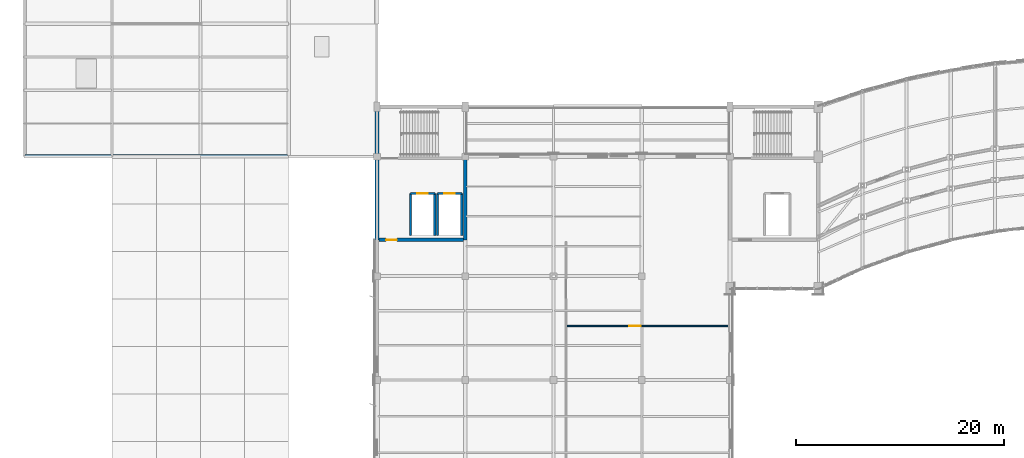
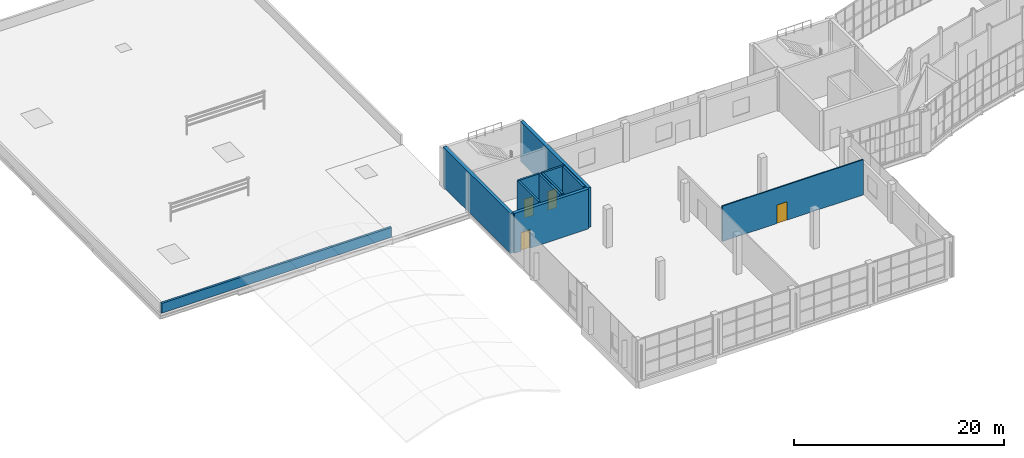
# One storey, part 52 of 66: 11 walls, 4 doors, 4 openings.
"""IFC4 building model written with IfcOpenShell, lengths in metres."""

from ifc_helpers import new_model, si_unit, direction, frame, frame_2d, origin, place, context, subcontext, project, spatial, rectangle, extrude, material, layer, layer_set, type_object, element, fill, save


model = new_model("IFC4")

# Units and contexts
model_context = context("Model", 3, precision=1e-05, world=origin(), true_north=direction((0.0, 1.0)))
body_context = subcontext(model_context, "Body", "Model", "MODEL_VIEW")
ifc_project = project(units=[si_unit("LENGTHUNIT", "METRE"), si_unit("AREAUNIT", "SQUARE_METRE"), si_unit("VOLUMEUNIT", "CUBIC_METRE"), si_unit("PLANEANGLEUNIT", "RADIAN"), si_unit("MASSUNIT", "GRAM", prefix="KILO")], contexts=[model_context])

# Site, building, storey
site_placement = place(None, origin())
site = spatial("IfcSite", under=ifc_project, at=site_placement, CompositionType="ELEMENT")
building_placement = place(site_placement, origin())
building = spatial("IfcBuilding", under=site, at=building_placement, Name="Solvikara Media Centre", CompositionType="ELEMENT")
storey_placement = place(building_placement, frame((0.0, 0.0, 19.800048828125)))
storey = spatial("IfcBuildingStorey", under=building, at=storey_placement, Name="L04", CompositionType="ELEMENT", Elevation=19.800048828125)

# Walls
ifc_material_1 = material(Name="Concrete fc' 45 MPa (C45/55)", Category="concrete")
ifc_layer_1 = layer(ifc_material_1, 0.35009765625)
ifc_layer_set_1 = layer_set([ifc_layer_1], Name="Concrete fc' 45 MPa (C45/55)")
wall_type_1 = type_object("IfcWallType", Name="WT-03", PredefinedType="SHEAR", material=ifc_layer_set_1)
for number, where, z_axis, x_axis, name in (
    (1, (34.0, 24.0, 0.0), (0.0, 0.0, 1.0), (0.0, 1.0, 0.0), "CW-C2-L04-W"),
    (2, (42.5, 24.0, 0.0), (0.0, 0.0, 1.0), (0.0, 1.0, 0.0), "CW-C2-L04-E"),
):
    element("IfcWall", number, at=place(storey_placement, frame(where, z_axis=z_axis, x_axis=x_axis)), inside=storey, type_object=wall_type_1, Name=name, PredefinedType="SHEAR", context=body_context, shape_type="SweptSolid", body=[
        extrude(rectangle(XDim=12.800048828125, YDim=0.35009765625, at=frame_2d((6.39990234375, 0.0))), origin(), (0.0, 0.0, 1.0), 4.639892578125),
    ])

# Wall, opening, door
wall_1_placement = place(storey_placement, frame((34.175048828125, 24.0, 0.0), z_axis=(0.0, 0.0, 1.0), x_axis=(1.0, 0.0, 0.0)))
wall_1 = element("IfcWall", 3, at=wall_1_placement, inside=storey, type_object=wall_type_1, Name="CW-C2-L04-S", PredefinedType="SHEAR", context=body_context, shape_type="SweptSolid", body=[
    extrude(rectangle(XDim=8.14990234375, YDim=0.35009765625, at=frame_2d((4.074951171875, 0.0))), origin(), (0.0, 0.0, 1.0), 4.639892578125),
])
opening_1_placement = place(wall_1_placement, frame((0.699951171875, 0.0, 0.0)))
opening_1 = element("IfcOpeningElement", 4, at=opening_1_placement, cuts=wall_1, Name="Opening D-C2-L04-LOB", PredefinedType="OPENING", context=body_context, shape_type="SweptSolid", body=[
    extrude(rectangle(XDim=1.050048828125, YDim=2.14990234375, at=frame_2d((0.52490234375, 1.074951171875))), frame((0.0, 0.18701171875, 0.0), z_axis=(0.0, -1.0, 0.0), x_axis=(1.0, 0.0, 0.0)), (0.0, 0.0, 1.0), 0.3740234375),
])
ifc_material_2 = material(Name="Insulated fire-rated steel door leaf", Category="steel")
door_type_1 = type_object("IfcDoorType", Name="DT-10", OperationType="NOTDEFINED", PredefinedType="DOOR", material=ifc_material_2)
door_1_placement = place(opening_1_placement, frame((1.050048828125, 0.0, 0.0), z_axis=(0.0, 0.0, 1.0), x_axis=(-1.0, 0.0, 0.0)))
door_1 = element("IfcDoor", 5, at=door_1_placement, inside=storey, type_object=door_type_1, Name="D-C2-L04-LOB", OperationType="SINGLE_SWING_RIGHT", OverallHeight=2.14990234375, OverallWidth=1.050048828125, PredefinedType="DOOR", context=body_context, shape_type="SweptSolid", body=[
    extrude(rectangle(XDim=1.050048828125, YDim=2.14990234375, at=frame_2d((0.52490234375, 1.074951171875))), frame((0.0, 0.02490234375, 0.0), z_axis=(0.0, -1.0, 0.0), x_axis=(1.0, 0.0, 0.0)), (0.0, 0.0, 1.0), 0.050048828125),
])
fill(opening_1, door_1)

# Walls
ifc_material_3 = material(Name="Precast concrete fc' 40 MPa (C40/50)", Category="concrete")
ifc_layer_2 = layer(ifc_material_3, 0.22998046875)
ifc_layer_set_2 = layer_set([ifc_layer_2], Name="Precast concrete fc' 40 MPa (C40/50)")
wall_type_2 = type_object("IfcWallType", Name="WT-14", PredefinedType="PARAPET", material=ifc_layer_set_2)
wall_2_placement = place(storey_placement, frame((0.1201171875, 32.1201171875, 0.0), z_axis=(0.0, 0.0, 1.0), x_axis=(1.0, 0.0, 0.0)))
element("IfcWall", 6, at=wall_2_placement, inside=storey, type_object=wall_type_2, Name="PRP-L04-01", PredefinedType="PARAPET", context=body_context, shape_type="SweptSolid", body=[
    extrude(rectangle(XDim=25.27978515625, YDim=0.22998046875, at=frame_2d((12.639892578125, 0.0))), origin(), (0.0, 0.0, 1.0), 1.14990234375),
])
ifc_material_4 = material(Name="Fire-rated gypsum and mineral-wool shaft wall assembly")
ifc_layer_3 = layer(ifc_material_4, 0.2099609375)
ifc_layer_set_3 = layer_set([ifc_layer_3], Name="Fire-rated gypsum and mineral-wool shaft wall assembly")
wall_type_3 = type_object("IfcWallType", Name="WT-17", PredefinedType="PARTITIONING", material=ifc_layer_set_3)
for number, where, z_axis, x_axis, name in (
    (7, (37.22998046875, 24.39990234375, 0.0), (0.0, 0.0, 1.0), (0.0, 1.0, 0.0), "LW-LF-P1-L04-W"),
    (8, (39.570068359375, 24.39990234375, 0.0), (0.0, 0.0, 1.0), (0.0, 1.0, 0.0), "LW-LF-P1-L04-E"),
):
    element("IfcWall", number, at=place(storey_placement, frame(where, z_axis=z_axis, x_axis=x_axis)), inside=storey, type_object=wall_type_3, Name=name, PredefinedType="PARTITIONING", context=body_context, shape_type="SweptSolid", body=[
        extrude(rectangle(XDim=4.050048828125, YDim=0.2099609375, at=frame_2d((2.02490234375, 0.0))), origin(), (0.0, 0.0, 1.0), 4.639892578125),
    ])

# Wall, opening, door
wall_3_placement = place(storey_placement, frame((37.22998046875, 28.449951171875, 0.0), z_axis=(0.0, 0.0, 1.0), x_axis=(1.0, 0.0, 0.0)))
wall_3 = element("IfcWall", 9, at=wall_3_placement, inside=storey, type_object=wall_type_3, Name="LW-LF-P1-L04-N", PredefinedType="PARTITIONING", context=body_context, shape_type="SweptSolid", body=[
    extrude(rectangle(XDim=2.340087890625, YDim=0.2099609375, at=frame_2d((1.169921875, 0.0))), origin(), (0.0, 0.0, 1.0), 4.639892578125),
])
opening_2_placement = place(wall_3_placement, frame((0.669921875, 0.0, 0.0)))
opening_2 = element("IfcOpeningElement", 10, at=opening_2_placement, cuts=wall_3, Name="Opening LD-LF-P1-L04", PredefinedType="OPENING", context=body_context, shape_type="SweptSolid", body=[
    extrude(rectangle(XDim=1.0, YDim=2.199951171875, at=frame_2d((0.5, 1.10009765625))), frame((0.0, 0.116943359375, 0.0), z_axis=(0.0, -1.0, 0.0), x_axis=(1.0, 0.0, 0.0)), (0.0, 0.0, 1.0), 0.23388671875),
])
door_type_2 = type_object("IfcDoorType", Name="LD-02", OperationType="DOUBLE_DOOR_SLIDING", PredefinedType="DOOR", material=ifc_material_2)
door_2_placement = place(opening_2_placement, origin())
door_2 = element("IfcDoor", 11, at=door_2_placement, inside=storey, type_object=door_type_2, Name="LD-LF-P1-L04", OperationType="DOUBLE_DOOR_SLIDING", OverallHeight=2.199951171875, OverallWidth=1.0, PredefinedType="DOOR", context=body_context, shape_type="SweptSolid", body=[
    extrude(rectangle(XDim=1.0, YDim=2.199951171875, at=frame_2d((0.5, 1.10009765625))), frame((0.0, 0.02490234375, 0.0), z_axis=(0.0, -1.0, 0.0), x_axis=(1.0, 0.0, 0.0)), (0.0, 0.0, 1.0), 0.050048828125),
])
fill(opening_2, door_2)

# Walls
for number, where, z_axis, x_axis, name in (
    (12, (39.830078125, 24.39990234375, 0.0), (0.0, 0.0, 1.0), (0.0, 1.0, 0.0), "LW-LF-P2-L04-W"),
    (13, (42.169921875, 24.39990234375, 0.0), (0.0, 0.0, 1.0), (0.0, 1.0, 0.0), "LW-LF-P2-L04-E"),
):
    element("IfcWall", number, at=place(storey_placement, frame(where, z_axis=z_axis, x_axis=x_axis)), inside=storey, type_object=wall_type_3, Name=name, PredefinedType="PARTITIONING", context=body_context, shape_type="SweptSolid", body=[
        extrude(rectangle(XDim=4.050048828125, YDim=0.2099609375, at=frame_2d((2.02490234375, 0.0))), origin(), (0.0, 0.0, 1.0), 4.639892578125),
    ])

# Wall, opening, door
wall_4_placement = place(storey_placement, frame((39.830078125, 28.449951171875, 0.0), z_axis=(0.0, 0.0, 1.0), x_axis=(1.0, 0.0, 0.0)))
wall_4 = element("IfcWall", 14, at=wall_4_placement, inside=storey, type_object=wall_type_3, Name="LW-LF-P2-L04-N", PredefinedType="PARTITIONING", context=body_context, shape_type="SweptSolid", body=[
    extrude(rectangle(XDim=2.33984375, YDim=0.2099609375, at=frame_2d((1.169921875, 0.0))), origin(), (0.0, 0.0, 1.0), 4.639892578125),
])
opening_3_placement = place(wall_4_placement, frame((0.669921875, 0.0, 0.0)))
opening_3 = element("IfcOpeningElement", 15, at=opening_3_placement, cuts=wall_4, Name="Opening LD-LF-P2-L04", PredefinedType="OPENING", context=body_context, shape_type="SweptSolid", body=[
    extrude(rectangle(XDim=1.0, YDim=2.199951171875, at=frame_2d((0.5, 1.10009765625))), frame((0.0, 0.116943359375, 0.0), z_axis=(0.0, -1.0, 0.0), x_axis=(1.0, 0.0, 0.0)), (0.0, 0.0, 1.0), 0.23388671875),
])
door_3_placement = place(opening_3_placement, origin())
door_3 = element("IfcDoor", 16, at=door_3_placement, inside=storey, type_object=door_type_2, Name="LD-LF-P2-L04", OperationType="DOUBLE_DOOR_SLIDING", OverallHeight=2.199951171875, OverallWidth=1.0, PredefinedType="DOOR", context=body_context, shape_type="SweptSolid", body=[
    extrude(rectangle(XDim=1.0, YDim=2.199951171875, at=frame_2d((0.5, 1.10009765625))), frame((0.0, 0.02490234375, 0.0), z_axis=(0.0, -1.0, 0.0), x_axis=(1.0, 0.0, 0.0)), (0.0, 0.0, 1.0), 0.050048828125),
])
fill(opening_3, door_3)

ifc_material_5 = material(Name="Double-stud acoustic gypsum partition assembly")
ifc_layer_4 = layer(ifc_material_5, 0.139892578125)
ifc_layer_set_4 = layer_set([ifc_layer_4], Name="Double-stud acoustic gypsum partition assembly")
wall_type_4 = type_object("IfcWallType", Name="WT-20", PredefinedType="PARTITIONING", material=ifc_layer_set_4)
wall_5_placement = place(storey_placement, frame((52.300048828125, 15.699951171875, 0.0), z_axis=(0.0, 0.0, 1.0), x_axis=(1.0, 0.0, 0.0)))
wall_5 = element("IfcWall", 17, at=wall_5_placement, inside=storey, type_object=wall_type_4, Name="PW-L04-167", PredefinedType="PARTITIONING", context=body_context, shape_type="SweptSolid", body=[
    extrude(rectangle(XDim=15.5, YDim=0.139892578125, at=frame_2d((7.75, 0.0))), origin(), (0.0, 0.0, 1.0), 4.10791015625),
])
opening_4_placement = place(wall_5_placement, frame((6.0, 0.0, 0.0)))
opening_4 = element("IfcOpeningElement", 18, at=opening_4_placement, cuts=wall_5, Name="Opening D-L04-167-1", PredefinedType="OPENING", context=body_context, shape_type="SweptSolid", body=[
    extrude(rectangle(XDim=1.10009765625, YDim=2.14990234375, at=frame_2d((0.550048828125, 1.074951171875))), frame((0.0, 0.08203125, 0.0), z_axis=(0.0, -1.0, 0.0), x_axis=(1.0, 0.0, 0.0)), (0.0, 0.0, 1.0), 0.163818359375),
])
ifc_material_6 = material(Name="Solid core acoustic hardwood timber", Category="wood")
door_type_3 = type_object("IfcDoorType", Name="DT-19", OperationType="NOTDEFINED", PredefinedType="DOOR", material=ifc_material_6)
door_4_placement = place(opening_4_placement, origin())
door_4 = element("IfcDoor", 19, at=door_4_placement, inside=storey, type_object=door_type_3, Name="D-L04-167-1", OperationType="SINGLE_SWING_LEFT", OverallHeight=2.14990234375, OverallWidth=1.10009765625, PredefinedType="DOOR", context=body_context, shape_type="SweptSolid", body=[
    extrude(rectangle(XDim=1.10009765625, YDim=2.14990234375, at=frame_2d((0.550048828125, 1.074951171875))), frame((0.0, 0.02490234375, 0.0), z_axis=(0.0, -1.0, 0.0), x_axis=(1.0, 0.0, 0.0)), (0.0, 0.0, 1.0), 0.050048828125),
])
fill(opening_4, door_4)

save(model, "model.ifc")
